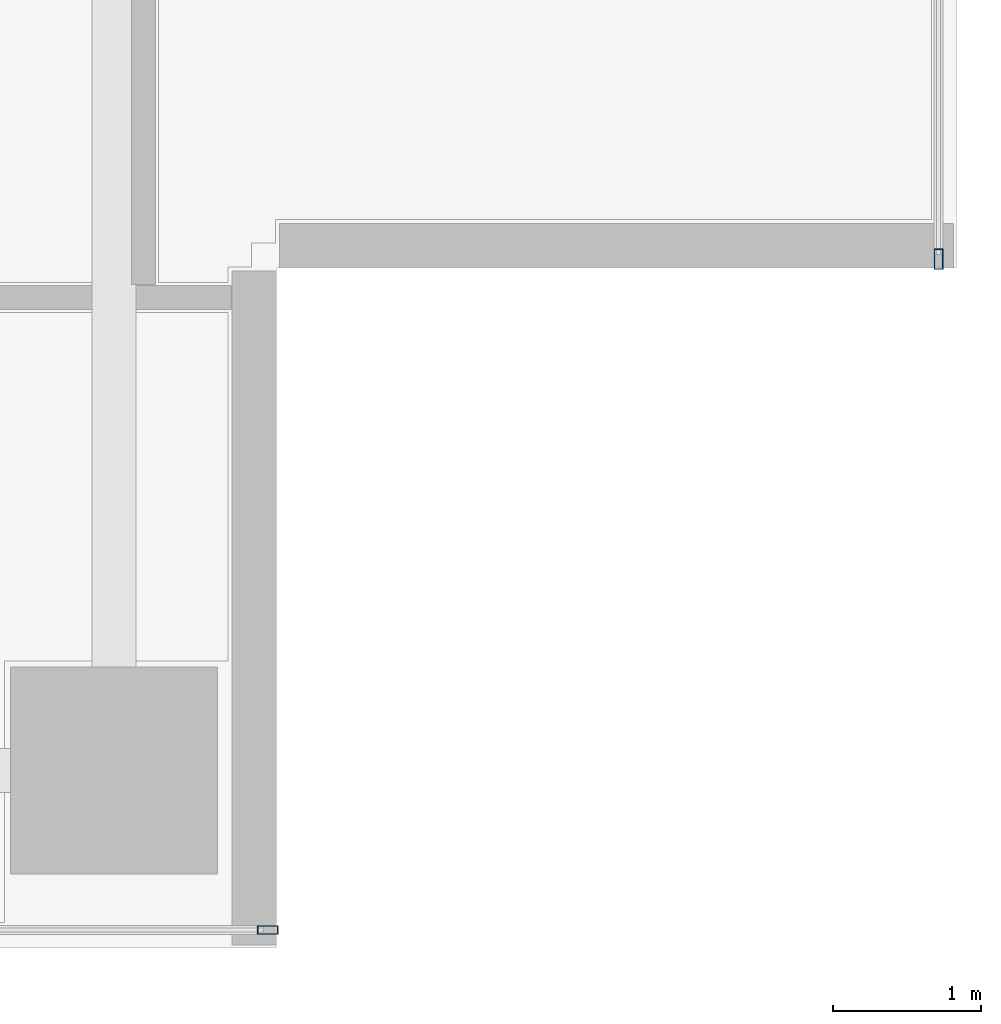
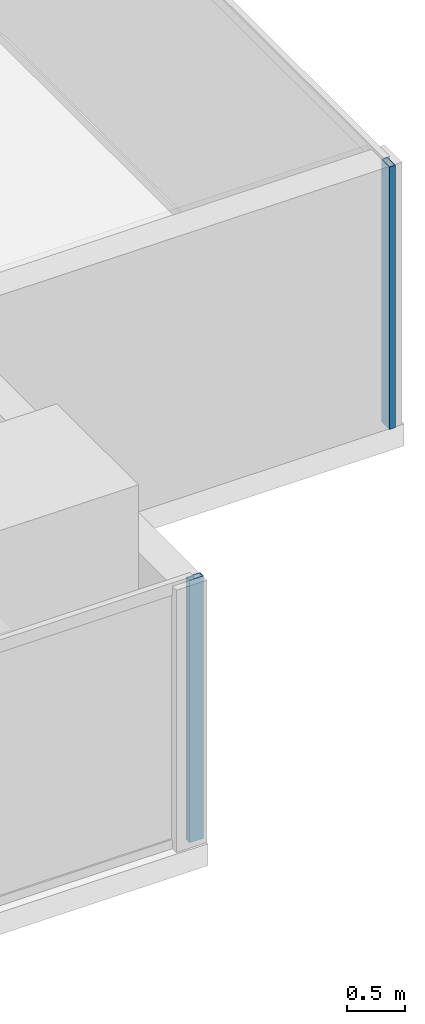
# One storey, part 11 of 27: 2 members, 2 elements without a shape of their own.
"""IFC4 building model written with IfcOpenShell, lengths in metres."""

import ifcopenshell
import ifcopenshell.guid

model = None  # the IFC model being written
_history = None  # IfcOwnerHistory: only IFC2X3 demands one
_inside = {}  # id of a spatial element -> (the spatial element, [elements in it])
_under = {}  # id of a project, library or spatial element -> (it, [spatial elements below it])
_declared = {}  # id of a project -> (the project, [libraries it declares])
_typed = {}  # id of a type object -> (the type object, [elements of that type])
_made_of = {}  # id of a material, layer set ... -> (it, [elements and type objects made of it])


def new_model(schema):
    """Start an empty IFC model of exactly this schema.

    Asked for "IFC4X3", IfcOpenShell would pick the latest addendum, in which some entities
    have other attributes; the version numbers below select the first issue.
    IFC2X3 requires an IfcOwnerHistory on every rooted entity: one is made here for all.
    """
    global model, _history
    if schema == "IFC4X3":
        model = ifcopenshell.file(schema_version=(4, 3, 0, 0))
    else:
        model = ifcopenshell.file(schema=schema)
    _inside.clear()
    _under.clear()
    _declared.clear()
    _typed.clear()
    _made_of.clear()
    _history = None
    if model.schema == "IFC2X3":
        org = make("IfcOrganization", Name="unknown")
        user = make(
            "IfcPersonAndOrganization",
            ThePerson=make("IfcPerson", FamilyName="unknown"),
            TheOrganization=org,
        )
        app = make(
            "IfcApplication",
            ApplicationDeveloper=org,
            Version="unknown",
            ApplicationFullName="unknown",
            ApplicationIdentifier="unknown",
        )
        _history = make(
            "IfcOwnerHistory",
            OwningUser=user,
            OwningApplication=app,
            ChangeAction="ADDED",
            CreationDate=0,
        )
    return model


def make(cls, **values):
    """One entity of the class cls with the attributes given. An attribute that is None is left unset."""
    return model.create_entity(
        cls, **{name: value for name, value in values.items() if value is not None}
    )


def rooted(cls, **values):
    """An entity with a GlobalId (a new one), such as an element, a storey or a relation."""
    return make(cls, GlobalId=ifcopenshell.guid.new(), OwnerHistory=_history, **values)


def si_unit(unit_type, name, prefix=None):
    """IfcSIUnit, for example si_unit("LENGTHUNIT", "METRE", prefix="MILLI")."""
    return make("IfcSIUnit", UnitType=unit_type, Prefix=prefix, Name=name)


def assignment(units):
    """IfcUnitAssignment: the units of a project."""
    return None if units is None else make("IfcUnitAssignment", Units=units)


def point(xyz):
    """IfcCartesianPoint."""
    return None if xyz is None else make("IfcCartesianPoint", Coordinates=xyz)


def direction(xyz):
    """IfcDirection."""
    return None if xyz is None else make("IfcDirection", DirectionRatios=xyz)


def frame(location, z_axis=None, x_axis=None):
    """IfcAxis2Placement3D, a coordinate frame: its origin and axes. An axis left out is left unset."""
    return make(
        "IfcAxis2Placement3D",
        Location=point(location),
        Axis=direction(z_axis),
        RefDirection=direction(x_axis),
    )


def frame_2d(location, x_axis=None):
    """IfcAxis2Placement2D, a coordinate frame in the plane: its origin and x axis."""
    return make(
        "IfcAxis2Placement2D", Location=point(location), RefDirection=direction(x_axis)
    )


def origin():
    """The frame at (0, 0, 0) with its axes left unset."""
    return frame((0.0, 0.0, 0.0))


def origin_2d():
    """The frame at (0, 0) in the plane with its x axis left unset."""
    return frame_2d((0.0, 0.0))


def place(relative_to, where):
    """IfcLocalPlacement: puts the frame where relative to a parent placement (None: the world)."""
    return make(
        "IfcLocalPlacement", PlacementRelTo=relative_to, RelativePlacement=where
    )


def context(
    kind, dimensions, precision=None, world=None, true_north=None, identifier=None
):
    """IfcGeometricRepresentationContext, for example the 3D "Model" context."""
    return make(
        "IfcGeometricRepresentationContext",
        ContextIdentifier=identifier,
        ContextType=kind,
        CoordinateSpaceDimension=dimensions,
        Precision=precision,
        WorldCoordinateSystem=world,
        TrueNorth=true_north,
    )


def subcontext(parent, identifier, kind, view, scale=None):
    """IfcGeometricRepresentationSubContext, for example "Body" below "Model"."""
    return make(
        "IfcGeometricRepresentationSubContext",
        ContextIdentifier=identifier,
        ContextType=kind,
        ParentContext=parent,
        TargetScale=scale,
        TargetView=view,
    )


def project(units=None, contexts=None):
    """IfcProject with its units and contexts."""
    return rooted(
        "IfcProject",
        Name="project",
        RepresentationContexts=contexts,
        UnitsInContext=assignment(units),
    )


def spatial(cls, under=None, at=None, **own):
    """A site, building, storey or space (cls), placed at a placement, below another one or the project."""
    s = rooted(cls, ObjectPlacement=at, **own)
    if under is not None:
        _under.setdefault(under.id(), (under, []))[1].append(s)
    return s


def profile(cls, at=None, kind="AREA", **sizes):
    """A parametric profile (cls). Its sizes go by their IFC names, for example OverallWidth=200.0."""
    return make(cls, ProfileType=kind, Position=at, **sizes)


def hollow_rectangle(**sizes):
    """IfcRectangleHollowProfileDef."""
    return profile("IfcRectangleHollowProfileDef", **sizes)


def extrude(swept, where, along, depth):
    """IfcExtrudedAreaSolid: the profile swept, set in the frame where, extruded along a direction by depth."""
    return make(
        "IfcExtrudedAreaSolid",
        SweptArea=swept,
        Position=where,
        ExtrudedDirection=direction(along),
        Depth=depth,
    )


def shape(context_of_items, identifier, shape_type, items):
    """IfcShapeRepresentation: the items that make up one representation, for example the "Body"."""
    return make(
        "IfcShapeRepresentation",
        ContextOfItems=context_of_items,
        RepresentationIdentifier=identifier,
        RepresentationType=shape_type,
        Items=items,
    )


def source(mapping_origin, context_of_items, identifier, shape_type, items):
    """IfcRepresentationMap: a shape defined once, which mapped items show again and again."""
    return make(
        "IfcRepresentationMap",
        MappingOrigin=mapping_origin,
        MappedRepresentation=shape(context_of_items, identifier, shape_type, items),
    )


def transform(
    local_origin,
    x_axis=None,
    y_axis=None,
    z_axis=None,
    scale=None,
    scale2=None,
    scale3=None,
    uniform=True,
):
    """IfcCartesianTransformationOperator3D, or its non-uniform kind. x_axis, y_axis, z_axis: its Axis1, 2, 3."""
    if uniform:
        return make(
            "IfcCartesianTransformationOperator3D",
            Axis1=direction(x_axis),
            Axis2=direction(y_axis),
            LocalOrigin=point(local_origin),
            Scale=scale,
            Axis3=direction(z_axis),
        )
    return make(
        "IfcCartesianTransformationOperator3DnonUniform",
        Axis1=direction(x_axis),
        Axis2=direction(y_axis),
        LocalOrigin=point(local_origin),
        Scale=scale,
        Axis3=direction(z_axis),
        Scale2=scale2,
        Scale3=scale3,
    )


def mapped(mapping_source, mapping_target):
    """IfcMappedItem: shows the shape of a source again, moved by a transform."""
    return make(
        "IfcMappedItem", MappingSource=mapping_source, MappingTarget=mapping_target
    )


def material(Name=None, Category=None):
    """IfcMaterial."""
    return make("IfcMaterial", Name=Name, Category=Category)


def layer(
    of_material, thickness, ventilated=None, Name=None, Category=None, Priority=None
):
    """IfcMaterialLayer: one layer of a wall or slab, of a material (None: an air gap)."""
    return make(
        "IfcMaterialLayer",
        Material=of_material,
        LayerThickness=thickness,
        IsVentilated=ventilated,
        Name=Name,
        Category=Category,
        Priority=Priority,
    )


def layer_set(layers, Name=None):
    """IfcMaterialLayerSet."""
    return make("IfcMaterialLayerSet", MaterialLayers=layers, LayerSetName=Name)


def material_profile(
    of_material, cross_section, Name=None, Category=None, Priority=None
):
    """IfcMaterialProfile: a cross section and its material."""
    return make(
        "IfcMaterialProfile",
        Name=Name,
        Material=of_material,
        Profile=cross_section,
        Priority=Priority,
        Category=Category,
    )


def profile_set(profiles, Name=None, composite=None):
    """IfcMaterialProfileSet."""
    return make(
        "IfcMaterialProfileSet",
        Name=Name,
        MaterialProfiles=profiles,
        CompositeProfile=composite,
    )


def made_of(thing, what):
    """Note that an element or type object is made of a material, layer set ...; save() writes the relation."""
    if what is not None:
        _made_of.setdefault(what.id(), (what, []))[1].append(thing)
    return thing


def type_object(cls, material=None, **own):
    """A type object (cls), such as IfcWallType, which elements share."""
    return made_of(rooted(cls, **own), material)


def element(
    cls,
    number,
    at=None,
    inside=None,
    cuts=None,
    type_object=None,
    material=None,
    context=None,
    identifier="Body",
    shape_type=None,
    held_by="IfcProductDefinitionShape",
    body=None,
    shapes=None,
    **own,
):
    """One element of the class cls, such as IfcWall. Its Tag is "e" and its number.

    at: its placement. inside: the storey or other place that contains it. cuts: it is an
    opening in that element (IfcRelVoidsElement). A single representation is given by context,
    identifier, shape_type and body (its items); several are given by shapes. held_by: the class
    of the entity that holds the representations. save() writes the other relations.
    """
    e = rooted(cls, Tag="e%d" % number, ObjectPlacement=at, **own)
    if body is not None:
        shapes = [shape(context, identifier, shape_type, body)]
    if shapes is not None:
        e.Representation = make(held_by, Representations=shapes)
    if inside is not None:
        _inside.setdefault(inside.id(), (inside, []))[1].append(e)
    if cuts is not None:
        rooted(
            "IfcRelVoidsElement", RelatingBuildingElement=cuts, RelatedOpeningElement=e
        )
    if type_object is not None:
        _typed.setdefault(type_object.id(), (type_object, []))[1].append(e)
    return made_of(e, material)


def aggregate(whole, parts):
    """IfcRelAggregates: a whole, such as a stair, and the parts it consists of."""
    return rooted("IfcRelAggregates", RelatingObject=whole, RelatedObjects=parts)


def save(model, path):
    """Write the relations noted so far, then the file.

    IfcRelAggregates (storeys below a building ...), IfcRelContainedInSpatialStructure (elements
    in a storey), IfcRelDefinesByType, IfcRelAssociatesMaterial and IfcRelDeclares: one each for
    every whole, place, type object, material and project.
    """
    for whole, parts in _under.values():
        aggregate(whole, parts)
    for where, things in _inside.values():
        rooted(
            "IfcRelContainedInSpatialStructure",
            RelatedElements=things,
            RelatingStructure=where,
        )
    for kind, things in _typed.values():
        rooted("IfcRelDefinesByType", RelatedObjects=things, RelatingType=kind)
    for what, things in _made_of.values():
        rooted("IfcRelAssociatesMaterial", RelatedObjects=things, RelatingMaterial=what)
    for by, libraries in _declared.values():
        rooted("IfcRelDeclares", RelatingContext=by, RelatedDefinitions=libraries)
    model.write(path)


model = new_model("IFC4")

# Units and contexts
model_context = context("Model", 3, precision=1e-05, world=origin(), true_north=direction((0.0, 1.0)))
body_context = subcontext(model_context, "Body", "Model", "MODEL_VIEW")
ifc_project = project(units=[si_unit("LENGTHUNIT", "METRE"), si_unit("AREAUNIT", "SQUARE_METRE"), si_unit("VOLUMEUNIT", "CUBIC_METRE"), si_unit("PLANEANGLEUNIT", "RADIAN"), si_unit("MASSUNIT", "GRAM", prefix="KILO")], contexts=[model_context])

# Site, building, storey
site_placement = place(None, origin())
site = spatial("IfcSite", under=ifc_project, at=site_placement, CompositionType="ELEMENT")
building_placement = place(site_placement, origin())
building = spatial("IfcBuilding", under=site, at=building_placement, Name="Sumidabori Civic Tower", CompositionType="ELEMENT")
storey_placement = place(building_placement, frame((0.0, 0.0, 257.60009765625)))
storey = spatial("IfcBuildingStorey", under=building, at=storey_placement, Name="L67", CompositionType="ELEMENT", Elevation=257.60009765625)

# Curtain wall, member
ifc_material = material(Name="Anodised Bronze Aluminium AW-6063-T6", Category="aluminium")
ifc_layer = layer(ifc_material, 0.179931640625, Name="Anodised Bronze Aluminium AW-6063-T6")
ifc_layer_set = layer_set([ifc_layer], Name="Anodised Bronze Aluminium AW-6063-T6")
curtain_wall_type = type_object("IfcCurtainWallType", Name="CW-SYS-5", PredefinedType="NOTDEFINED", material=ifc_layer_set)
curtain_wall_1_placement = place(storey_placement, origin())
curtain_wall_1 = element("IfcCurtainWall", 1, at=curtain_wall_1_placement, inside=storey, type_object=curtain_wall_type, Name="Curtain Wall CW:L67:R01", PredefinedType="NOTDEFINED")
ifc_material_profile = material_profile(ifc_material, hollow_rectangle(XDim=0.06005859375, YDim=0.139892578125, WallThickness=0.0048828125, at=origin_2d()), Name="ALU MULLION 140x60")
ifc_profile_set = profile_set([ifc_material_profile], Name="Anodised Bronze Aluminium AW-6063-T6")
member_type = type_object("IfcMemberType", Name="CW-MUL-140", PredefinedType="MULLION", material=ifc_profile_set)
shared_shape = source(origin(), body_context, "Body", "SweptSolid", [
    extrude(hollow_rectangle(XDim=0.06005859375, YDim=0.139892578125, WallThickness=0.0048828125, at=origin_2d()), origin(), (0.0, 0.0, 1.0), 2.75),
])
member_1_placement = place(storey_placement, frame((17.840087890625, -11.8798828125, 0.0), z_axis=(0.0, 0.0, 1.0), x_axis=(0.0, 1.0, 0.0)))
member_1 = element("IfcMember", 2, at=member_1_placement, type_object=member_type, Name="CW-5 mullion 5", PredefinedType="MULLION", context=body_context, shape_type="MappedRepresentation", body=[
    mapped(shared_shape, transform((0.0, 0.0, 0.0), x_axis=(1.0, 0.0, 0.0), y_axis=(0.0, 1.0, 0.0), z_axis=(0.0, 0.0, 1.0), scale=1.0)),
])
aggregate(curtain_wall_1, [member_1])

curtain_wall_2_placement = place(storey_placement, origin())
curtain_wall_2 = element("IfcCurtainWall", 3, at=curtain_wall_2_placement, inside=storey, type_object=curtain_wall_type, Name="Curtain Wall CW:L67:R04", PredefinedType="NOTDEFINED")
member_2_placement = place(storey_placement, frame((22.3798828125, -7.340087890625, 0.0), z_axis=(0.0, 0.0, 1.0), x_axis=(-1.0, 0.0, 0.0)))
member_2 = element("IfcMember", 4, at=member_2_placement, type_object=member_type, Name="CW-5 mullion 1", PredefinedType="MULLION", context=body_context, shape_type="MappedRepresentation", body=[
    mapped(shared_shape, transform((0.0, 0.0, 0.0), x_axis=(1.0, 0.0, 0.0), y_axis=(0.0, 1.0, 0.0), z_axis=(0.0, 0.0, 1.0), scale=1.0)),
])
aggregate(curtain_wall_2, [member_2])

save(model, "model.ifc")
